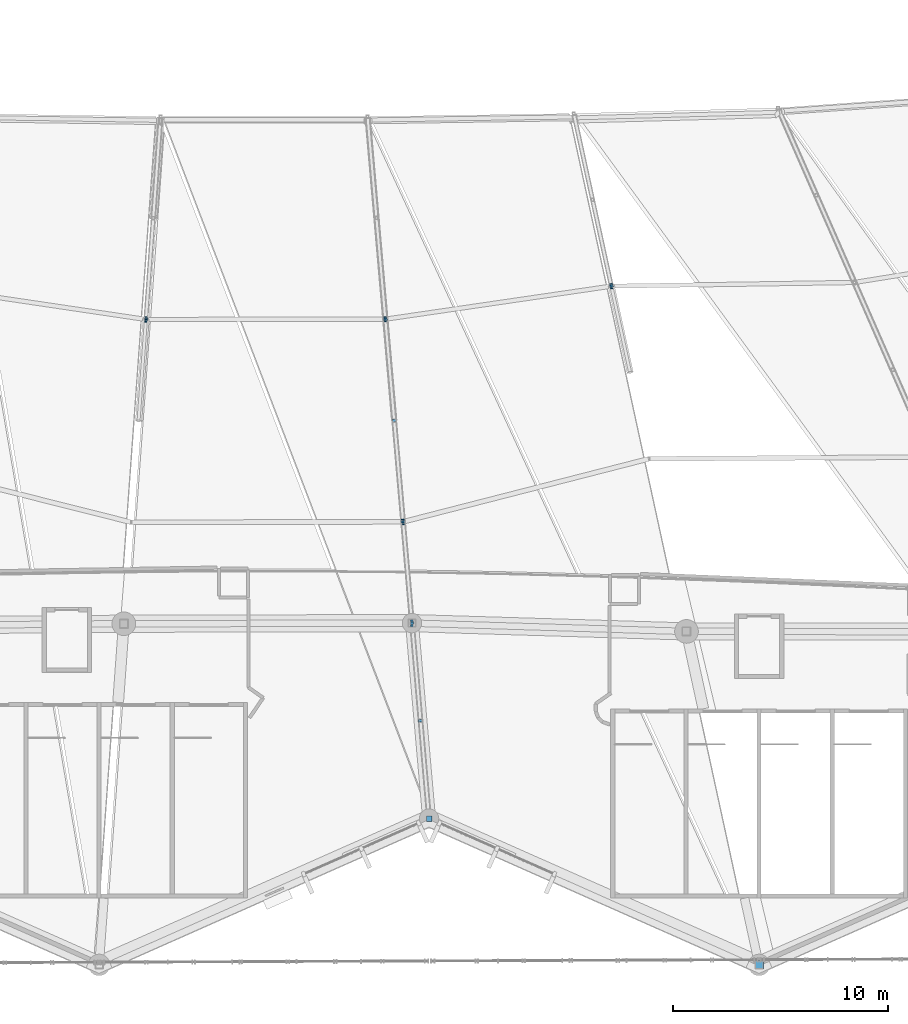
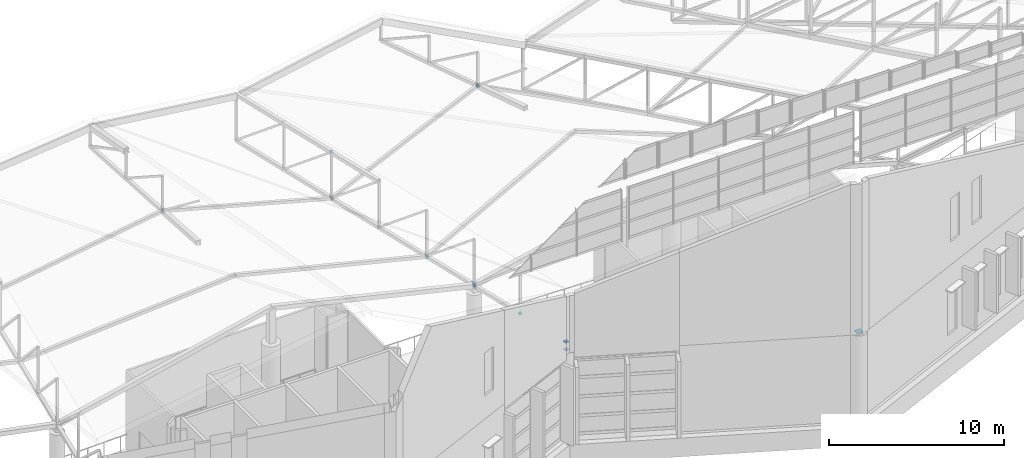
# One storey, part 285 of 344: 22 discrete accessories.
"""IFC4 building model written with IfcOpenShell, lengths in metres."""

import ifcopenshell
import ifcopenshell.guid

model = None  # the IFC model being written
_history = None  # IfcOwnerHistory: only IFC2X3 demands one
_inside = {}  # id of a spatial element -> (the spatial element, [elements in it])
_under = {}  # id of a project, library or spatial element -> (it, [spatial elements below it])
_declared = {}  # id of a project -> (the project, [libraries it declares])
_typed = {}  # id of a type object -> (the type object, [elements of that type])
_made_of = {}  # id of a material, layer set ... -> (it, [elements and type objects made of it])


def new_model(schema):
    """Start an empty IFC model of exactly this schema.

    Asked for "IFC4X3", IfcOpenShell would pick the latest addendum, in which some entities
    have other attributes; the version numbers below select the first issue.
    IFC2X3 requires an IfcOwnerHistory on every rooted entity: one is made here for all.
    """
    global model, _history
    if schema == "IFC4X3":
        model = ifcopenshell.file(schema_version=(4, 3, 0, 0))
    else:
        model = ifcopenshell.file(schema=schema)
    _inside.clear()
    _under.clear()
    _declared.clear()
    _typed.clear()
    _made_of.clear()
    _history = None
    if model.schema == "IFC2X3":
        org = make("IfcOrganization", Name="unknown")
        user = make(
            "IfcPersonAndOrganization",
            ThePerson=make("IfcPerson", FamilyName="unknown"),
            TheOrganization=org,
        )
        app = make(
            "IfcApplication",
            ApplicationDeveloper=org,
            Version="unknown",
            ApplicationFullName="unknown",
            ApplicationIdentifier="unknown",
        )
        _history = make(
            "IfcOwnerHistory",
            OwningUser=user,
            OwningApplication=app,
            ChangeAction="ADDED",
            CreationDate=0,
        )
    return model


def make(cls, **values):
    """One entity of the class cls with the attributes given. An attribute that is None is left unset."""
    return model.create_entity(
        cls, **{name: value for name, value in values.items() if value is not None}
    )


def rooted(cls, **values):
    """An entity with a GlobalId (a new one), such as an element, a storey or a relation."""
    return make(cls, GlobalId=ifcopenshell.guid.new(), OwnerHistory=_history, **values)


def si_unit(unit_type, name, prefix=None):
    """IfcSIUnit, for example si_unit("LENGTHUNIT", "METRE", prefix="MILLI")."""
    return make("IfcSIUnit", UnitType=unit_type, Prefix=prefix, Name=name)


def assignment(units):
    """IfcUnitAssignment: the units of a project."""
    return None if units is None else make("IfcUnitAssignment", Units=units)


def point(xyz):
    """IfcCartesianPoint."""
    return None if xyz is None else make("IfcCartesianPoint", Coordinates=xyz)


def direction(xyz):
    """IfcDirection."""
    return None if xyz is None else make("IfcDirection", DirectionRatios=xyz)


def frame(location, z_axis=None, x_axis=None):
    """IfcAxis2Placement3D, a coordinate frame: its origin and axes. An axis left out is left unset."""
    return make(
        "IfcAxis2Placement3D",
        Location=point(location),
        Axis=direction(z_axis),
        RefDirection=direction(x_axis),
    )


def frame_2d(location, x_axis=None):
    """IfcAxis2Placement2D, a coordinate frame in the plane: its origin and x axis."""
    return make(
        "IfcAxis2Placement2D", Location=point(location), RefDirection=direction(x_axis)
    )


def origin():
    """The frame at (0, 0, 0) with its axes left unset."""
    return frame((0.0, 0.0, 0.0))


def origin_2d():
    """The frame at (0, 0) in the plane with its x axis left unset."""
    return frame_2d((0.0, 0.0))


def place(relative_to, where):
    """IfcLocalPlacement: puts the frame where relative to a parent placement (None: the world)."""
    return make(
        "IfcLocalPlacement", PlacementRelTo=relative_to, RelativePlacement=where
    )


def context(
    kind, dimensions, precision=None, world=None, true_north=None, identifier=None
):
    """IfcGeometricRepresentationContext, for example the 3D "Model" context."""
    return make(
        "IfcGeometricRepresentationContext",
        ContextIdentifier=identifier,
        ContextType=kind,
        CoordinateSpaceDimension=dimensions,
        Precision=precision,
        WorldCoordinateSystem=world,
        TrueNorth=true_north,
    )


def subcontext(parent, identifier, kind, view, scale=None):
    """IfcGeometricRepresentationSubContext, for example "Body" below "Model"."""
    return make(
        "IfcGeometricRepresentationSubContext",
        ContextIdentifier=identifier,
        ContextType=kind,
        ParentContext=parent,
        TargetScale=scale,
        TargetView=view,
    )


def project(units=None, contexts=None):
    """IfcProject with its units and contexts."""
    return rooted(
        "IfcProject",
        Name="project",
        RepresentationContexts=contexts,
        UnitsInContext=assignment(units),
    )


def spatial(cls, under=None, at=None, **own):
    """A site, building, storey or space (cls), placed at a placement, below another one or the project."""
    s = rooted(cls, ObjectPlacement=at, **own)
    if under is not None:
        _under.setdefault(under.id(), (under, []))[1].append(s)
    return s


def profile(cls, at=None, kind="AREA", **sizes):
    """A parametric profile (cls). Its sizes go by their IFC names, for example OverallWidth=200.0."""
    return make(cls, ProfileType=kind, Position=at, **sizes)


def rectangle(**sizes):
    """IfcRectangleProfileDef."""
    return profile("IfcRectangleProfileDef", **sizes)


def extrude(swept, where, along, depth):
    """IfcExtrudedAreaSolid: the profile swept, set in the frame where, extruded along a direction by depth."""
    return make(
        "IfcExtrudedAreaSolid",
        SweptArea=swept,
        Position=where,
        ExtrudedDirection=direction(along),
        Depth=depth,
    )


def shape(context_of_items, identifier, shape_type, items):
    """IfcShapeRepresentation: the items that make up one representation, for example the "Body"."""
    return make(
        "IfcShapeRepresentation",
        ContextOfItems=context_of_items,
        RepresentationIdentifier=identifier,
        RepresentationType=shape_type,
        Items=items,
    )


def material(Name=None, Category=None):
    """IfcMaterial."""
    return make("IfcMaterial", Name=Name, Category=Category)


def material_profile(
    of_material, cross_section, Name=None, Category=None, Priority=None
):
    """IfcMaterialProfile: a cross section and its material."""
    return make(
        "IfcMaterialProfile",
        Name=Name,
        Material=of_material,
        Profile=cross_section,
        Priority=Priority,
        Category=Category,
    )


def profile_set(profiles, Name=None, composite=None):
    """IfcMaterialProfileSet."""
    return make(
        "IfcMaterialProfileSet",
        Name=Name,
        MaterialProfiles=profiles,
        CompositeProfile=composite,
    )


def made_of(thing, what):
    """Note that an element or type object is made of a material, layer set ...; save() writes the relation."""
    if what is not None:
        _made_of.setdefault(what.id(), (what, []))[1].append(thing)
    return thing


def type_object(cls, material=None, **own):
    """A type object (cls), such as IfcWallType, which elements share."""
    return made_of(rooted(cls, **own), material)


def element(
    cls,
    number,
    at=None,
    inside=None,
    cuts=None,
    type_object=None,
    material=None,
    context=None,
    identifier="Body",
    shape_type=None,
    held_by="IfcProductDefinitionShape",
    body=None,
    shapes=None,
    **own,
):
    """One element of the class cls, such as IfcWall. Its Tag is "e" and its number.

    at: its placement. inside: the storey or other place that contains it. cuts: it is an
    opening in that element (IfcRelVoidsElement). A single representation is given by context,
    identifier, shape_type and body (its items); several are given by shapes. held_by: the class
    of the entity that holds the representations. save() writes the other relations.
    """
    e = rooted(cls, Tag="e%d" % number, ObjectPlacement=at, **own)
    if body is not None:
        shapes = [shape(context, identifier, shape_type, body)]
    if shapes is not None:
        e.Representation = make(held_by, Representations=shapes)
    if inside is not None:
        _inside.setdefault(inside.id(), (inside, []))[1].append(e)
    if cuts is not None:
        rooted(
            "IfcRelVoidsElement", RelatingBuildingElement=cuts, RelatedOpeningElement=e
        )
    if type_object is not None:
        _typed.setdefault(type_object.id(), (type_object, []))[1].append(e)
    return made_of(e, material)


def aggregate(whole, parts):
    """IfcRelAggregates: a whole, such as a stair, and the parts it consists of."""
    return rooted("IfcRelAggregates", RelatingObject=whole, RelatedObjects=parts)


def save(model, path):
    """Write the relations noted so far, then the file.

    IfcRelAggregates (storeys below a building ...), IfcRelContainedInSpatialStructure (elements
    in a storey), IfcRelDefinesByType, IfcRelAssociatesMaterial and IfcRelDeclares: one each for
    every whole, place, type object, material and project.
    """
    for whole, parts in _under.values():
        aggregate(whole, parts)
    for where, things in _inside.values():
        rooted(
            "IfcRelContainedInSpatialStructure",
            RelatedElements=things,
            RelatingStructure=where,
        )
    for kind, things in _typed.values():
        rooted("IfcRelDefinesByType", RelatedObjects=things, RelatingType=kind)
    for what, things in _made_of.values():
        rooted("IfcRelAssociatesMaterial", RelatedObjects=things, RelatingMaterial=what)
    for by, libraries in _declared.values():
        rooted("IfcRelDeclares", RelatingContext=by, RelatedDefinitions=libraries)
    model.write(path)


model = new_model("IFC4")

# Units and contexts
model_context = context("Model", 3, precision=1e-05, world=origin(), true_north=direction((0.0, 1.0)))
body_context = subcontext(model_context, "Body", "Model", "MODEL_VIEW")
ifc_project = project(units=[si_unit("LENGTHUNIT", "METRE"), si_unit("AREAUNIT", "SQUARE_METRE"), si_unit("VOLUMEUNIT", "CUBIC_METRE"), si_unit("PLANEANGLEUNIT", "RADIAN"), si_unit("MASSUNIT", "GRAM", prefix="KILO")], contexts=[model_context])

# Site, building, storey
site_placement = place(None, origin())
site = spatial("IfcSite", under=ifc_project, at=site_placement, CompositionType="ELEMENT")
building_placement = place(site_placement, origin())
building = spatial("IfcBuilding", under=site, at=building_placement, Name="Meseta Stadium", CompositionType="ELEMENT")
storey_placement = place(building_placement, frame((0.0, 0.0, 24.0)))
storey = spatial("IfcBuildingStorey", under=building, at=storey_placement, Name="L04", CompositionType="ELEMENT", Elevation=24.0)

# Discrete accessories
ifc_material_1 = material(Name="Steel S355", Category="steel")
ifc_material_profile_1 = material_profile(ifc_material_1, rectangle(XDim=0.179931640625, YDim=0.179931640625, at=origin_2d()), Name="PL 180x180")
ifc_profile_set_1 = profile_set([ifc_material_profile_1], Name="Steel S355")
discrete_accessory_type_1 = type_object("IfcDiscreteAccessoryType", Name="End plate 180x180x20", PredefinedType="ANCHORPLATE", material=ifc_profile_set_1)
discrete_accessory_1_placement = place(storey_placement, frame((-5.490478515625, -75.3916015625, 6.167236328125), z_axis=(-0.061448064843, -0.786535229997, 0.614480648435), x_axis=(0.996962141349, -0.077887667293, 0.0)))
element("IfcDiscreteAccessory", 1, at=discrete_accessory_1_placement, inside=storey, type_object=discrete_accessory_type_1, Name="End plate of ROOF TRUSS RT-46 diagonal", PredefinedType="ANCHORPLATE", context=body_context, shape_type="SweptSolid", body=[
    extrude(rectangle(XDim=0.179931640625, YDim=0.179931640625, at=origin_2d()), origin(), (0.0, 0.0, 1.0), 0.019775390625),
])
for number, where, z_axis, x_axis, name in (
    (2, (5.633056640625, -75.395751953125, 6.34716796875), (0.073252483696, -0.769151078803, 0.634854858695), (0.995495472594, 0.094809092628, 0.0), "End plate of ROOF TRUSS RT-47 diagonal"),
    (3, (5.6318359375, -75.38037109375, 3.134521484375), (0.061093841343, -0.769782400916, 0.635375949962), (0.996865392576, 0.079116300998, 0.0), "End plate of ROOF TRUSS RT-47 diagonal"),
    (4, (6.044189453125, -80.087890625, 3.822998046875), (0.073252483696, -0.769151078803, 0.634854858695), (0.995495472594, 0.094809092628, 0.0), "End plate of ROOF TRUSS RT-47 diagonal"),
    (5, (6.456787109375, -84.795166015625, 4.511474609375), (0.073252483696, -0.769151078803, 0.634854858695), (0.995495472594, 0.094809092628, 0.0), "End plate of ROOF TRUSS RT-47 diagonal"),
    (6, (6.869384765625, -89.502685546875, 5.19970703125), (0.073361913819, -0.758073109461, 0.648030238733), (0.995350013555, 0.09632419486, 0.0), "End plate of ROOF TRUSS RT-47 diagonal"),
    (7, (7.267333984375, -94.043701171875, 5.86376953125), (0.073361913819, -0.758073109461, 0.648030238733), (0.995350013555, 0.09632419486, 0.0), "End plate of ROOF TRUSS RT-47 diagonal"),
):
    element("IfcDiscreteAccessory", number, at=place(storey_placement, frame(where, z_axis=z_axis, x_axis=x_axis)), inside=storey, type_object=discrete_accessory_type_1, Name=name, PredefinedType="ANCHORPLATE", context=body_context, shape_type="SweptSolid", body=[
        extrude(rectangle(XDim=0.179931640625, YDim=0.179931640625, at=origin_2d()), origin(), (0.0, 0.0, 1.0), 0.02001953125),
    ])
discrete_accessory_2_placement = place(storey_placement, frame((16.13232421875, -73.843994140625, 6.36376953125), z_axis=(0.171795306879, -0.760807787608, 0.625825760774), x_axis=(0.975441002068, 0.220260871435, 0.0)))
element("IfcDiscreteAccessory", 8, at=discrete_accessory_2_placement, inside=storey, type_object=discrete_accessory_type_1, Name="End plate of ROOF TRUSS RT-48 diagonal", PredefinedType="ANCHORPLATE", context=body_context, shape_type="SweptSolid", body=[
    extrude(rectangle(XDim=0.179931640625, YDim=0.179931640625, at=origin_2d()), origin(), (0.0, 0.0, 1.0), 0.019775390625),
])
ifc_material_2 = material(Name="Steel S355", Category="steel")
ifc_material_profile_2 = material_profile(ifc_material_2, rectangle(XDim=0.239990234375, YDim=0.239990234375, at=origin_2d()), Name="PL 240x240")
ifc_profile_set_2 = profile_set([ifc_material_profile_2], Name="Steel S355")
discrete_accessory_type_2 = type_object("IfcDiscreteAccessoryType", Name="End plate 240x240x20", PredefinedType="ANCHORPLATE", material=ifc_profile_set_2)
for number, where, z_axis, x_axis, name in (
    (9, (-5.49169921875, -75.4072265625, 6.179443359375), (0.94889387479, -0.145983673045, 0.279802040002), (0.152057184254, 0.988371697651, 0.0), "End plate of ROOF TRUSS STRUT RT-45/46"),
    (10, (-5.510986328125, -75.4072265625, 6.184814453125), (0.963343002143, 0.0, -0.268272734774), (0.0, 1.0, 0.0), "End plate of ROOF TRUSS STRUT RT-46/47"),
    (11, (5.633056640625, -75.395751953125, 3.147216796875), (0.966437683387, 0.0, -0.256901156343), (0.0, 1.0, 0.0), "End plate of ROOF TRUSS STRUT RT-46/47"),
    (12, (5.6142578125, -75.398681640625, 3.141357421875), (0.944305585896, 0.147164506893, 0.294329013786), (-0.153985421265, 0.988073119783, 0.0), "End plate of ROOF TRUSS STRUT RT-47/48"),
):
    element("IfcDiscreteAccessory", number, at=place(storey_placement, frame(where, z_axis=z_axis, x_axis=x_axis)), inside=storey, type_object=discrete_accessory_type_2, Name=name, PredefinedType="ANCHORPLATE", context=body_context, shape_type="SweptSolid", body=[
        extrude(rectangle(XDim=0.239990234375, YDim=0.239990234375, at=origin_2d()), origin(), (0.0, 0.0, 1.0), 0.02001953125),
    ])
discrete_accessory_3_placement = place(storey_placement, frame((16.1357421875, -73.859130859375, 6.376220703125), z_axis=(0.945943090687, 0.135134727241, 0.294839404889), x_axis=(-0.141421356237, 0.989949493661, 0.0)))
element("IfcDiscreteAccessory", 13, at=discrete_accessory_3_placement, inside=storey, type_object=discrete_accessory_type_2, Name="End plate of ROOF TRUSS STRUT RT-47/48", PredefinedType="ANCHORPLATE", context=body_context, shape_type="SweptSolid", body=[
    extrude(rectangle(XDim=0.239990234375, YDim=0.239990234375, at=origin_2d()), origin(), (0.0, 0.0, 1.0), 0.019775390625),
])
discrete_accessory_4_placement = place(storey_placement, frame((16.117919921875, -73.859375, 6.3857421875), z_axis=(0.881953882416, 0.012081560033, -0.471180841291), x_axis=(-0.013697345027, 0.999906186969, 0.0)))
element("IfcDiscreteAccessory", 14, at=discrete_accessory_4_placement, inside=storey, type_object=discrete_accessory_type_2, Name="End plate of ROOF TRUSS STRUT RT-48/49", PredefinedType="ANCHORPLATE", context=body_context, shape_type="SweptSolid", body=[
    extrude(rectangle(XDim=0.239990234375, YDim=0.239990234375, at=origin_2d()), origin(), (0.0, 0.0, 1.0), 0.020263671875),
])
ifc_material_3 = material(Name="Steel S355", Category="steel")
ifc_material_profile_3 = material_profile(ifc_material_3, rectangle(XDim=0.260009765625, YDim=0.260009765625, at=origin_2d()), Name="PL 260x260")
ifc_profile_set_3 = profile_set([ifc_material_profile_3], Name="Steel S355")
discrete_accessory_type_3 = type_object("IfcDiscreteAccessoryType", Name="End plate 260x260x20", PredefinedType="ANCHORPLATE", material=ifc_profile_set_3)
for number, where, z_axis, x_axis, name in (
    (15, (7.666748046875, -98.60009765625, 6.520751953125), (0.0, 0.0, 1.0), (1.0, 0.0, 0.0), "End plate of ROOF TRUSS RT-47 post"),
    (16, (7.666748046875, -98.60009765625, 5.97998046875), (0.0, 0.0, 1.0), (1.0, 0.0, 0.0), "End plate of ROOF RIM POST RT-47"),
    (17, (7.666748046875, -98.60009765625, 6.540771484375), (0.0, 0.0, 1.0), (1.0, 0.0, 0.0), "End plate of ROOF RIM POST RT-47"),
):
    element("IfcDiscreteAccessory", number, at=place(storey_placement, frame(where, z_axis=z_axis, x_axis=x_axis)), inside=storey, type_object=discrete_accessory_type_3, Name=name, PredefinedType="ANCHORPLATE", context=body_context, shape_type="SweptSolid", body=[
        extrude(rectangle(XDim=0.260009765625, YDim=0.260009765625, at=origin_2d()), origin(), (0.0, 0.0, 1.0), 0.02001953125),
    ])
discrete_accessory_5_placement = place(storey_placement, frame((6.458251953125, -84.810546875, 4.524169921875), z_axis=(0.969416374533, 0.0, -0.24542186697), x_axis=(0.0, 1.0, 0.0)))
element("IfcDiscreteAccessory", 18, at=discrete_accessory_5_placement, inside=storey, type_object=discrete_accessory_type_3, Name="End plate of ROOF TRUSS STRUT RT-46/47", PredefinedType="ANCHORPLATE", context=body_context, shape_type="SweptSolid", body=[
    extrude(rectangle(XDim=0.260009765625, YDim=0.260009765625, at=origin_2d()), origin(), (0.0, 0.0, 1.0), 0.019775390625),
])
discrete_accessory_6_placement = place(storey_placement, frame((6.439453125, -84.8154296875, 4.519287109375), z_axis=(0.938675453221, 0.243811806031, 0.243811806031), x_axis=(-0.251398364395, 0.967883702921, 0.0)))
element("IfcDiscreteAccessory", 19, at=discrete_accessory_6_placement, inside=storey, type_object=discrete_accessory_type_3, Name="End plate of ROOF TRUSS STRUT RT-47/48", PredefinedType="ANCHORPLATE", context=body_context, shape_type="SweptSolid", body=[
    extrude(rectangle(XDim=0.260009765625, YDim=0.260009765625, at=origin_2d()), origin(), (0.0, 0.0, 1.0), 0.02001953125),
])
ifc_material_4 = material(Name="Steel S355", Category="steel")
ifc_material_profile_4 = material_profile(ifc_material_4, rectangle(XDim=0.340087890625, YDim=0.340087890625, at=origin_2d()), Name="PL 340x340")
ifc_profile_set_4 = profile_set([ifc_material_profile_4], Name="Steel S355")
discrete_accessory_type_4 = type_object("IfcDiscreteAccessoryType", Name="End plate 340x340x20", PredefinedType="ANCHORPLATE", material=ifc_profile_set_4)
discrete_accessory_7_placement = place(storey_placement, frame((6.870849609375, -89.517822265625, 5.212646484375), z_axis=(0.972275475429, 0.0, -0.233838405483), x_axis=(0.0, 1.0, 0.0)))
element("IfcDiscreteAccessory", 20, at=discrete_accessory_7_placement, inside=storey, type_object=discrete_accessory_type_4, Name="End plate of ROOF PIVOT STRUT RT-46/47", PredefinedType="ANCHORPLATE", context=body_context, shape_type="SweptSolid", body=[
    extrude(rectangle(XDim=0.340087890625, YDim=0.340087890625, at=origin_2d()), origin(), (0.0, 0.0, 1.0), 0.019775390625),
])
discrete_accessory_8_placement = place(storey_placement, frame((6.851318359375, -89.517333984375, 5.20751953125), z_axis=(0.966948314595, -0.024173707865, 0.253823932581), x_axis=(0.02499219116, 0.999687646408, 0.0)))
element("IfcDiscreteAccessory", 21, at=discrete_accessory_8_placement, inside=storey, type_object=discrete_accessory_type_4, Name="End plate of ROOF PIVOT STRUT RT-47/48", PredefinedType="ANCHORPLATE", context=body_context, shape_type="SweptSolid", body=[
    extrude(rectangle(XDim=0.340087890625, YDim=0.340087890625, at=origin_2d()), origin(), (0.0, 0.0, 1.0), 0.020263671875),
])
ifc_material_5 = material(Name="Steel S355", Category="steel")
ifc_material_profile_5 = material_profile(ifc_material_5, rectangle(XDim=0.389892578125, YDim=0.389892578125, at=origin_2d()), Name="PL 390x390")
ifc_profile_set_5 = profile_set([ifc_material_profile_5], Name="Steel S355")
discrete_accessory_type_5 = type_object("IfcDiscreteAccessoryType", Name="End plate 390x390x20", PredefinedType="ANCHORPLATE", material=ifc_profile_set_5)
discrete_accessory_9_placement = place(storey_placement, frame((23.0, -105.39990234375, 5.97998046875), z_axis=(0.0, 0.0, 1.0), x_axis=(1.0, 0.0, 0.0)))
element("IfcDiscreteAccessory", 22, at=discrete_accessory_9_placement, inside=storey, type_object=discrete_accessory_type_5, Name="End plate of ROOF RIM POST RT-48", PredefinedType="ANCHORPLATE", context=body_context, shape_type="SweptSolid", body=[
    extrude(rectangle(XDim=0.389892578125, YDim=0.389892578125, at=origin_2d()), origin(), (0.0, 0.0, 1.0), 0.02001953125),
])

save(model, "model.ifc")
